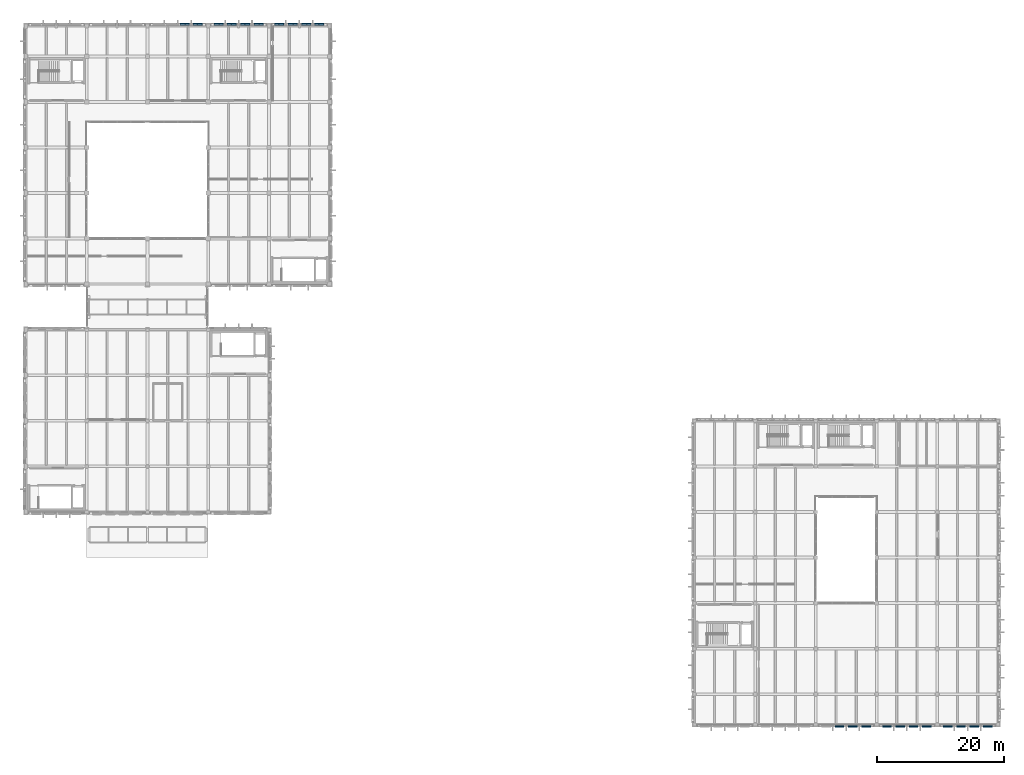
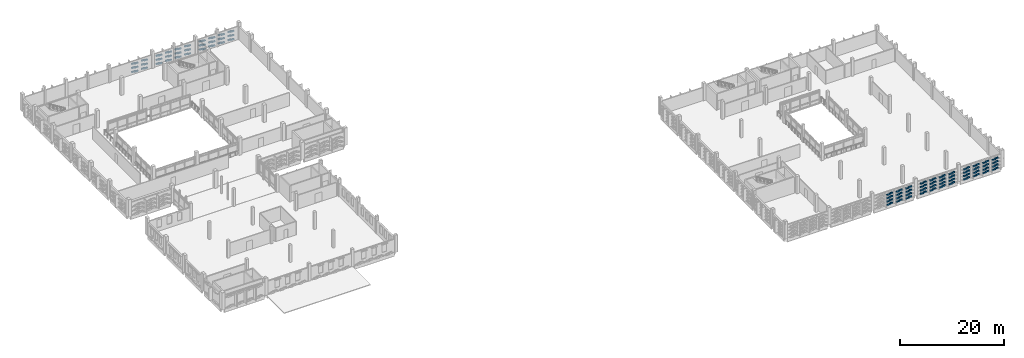
# One storey, part 50 of 72: 148 plates.
"""IFC4 building model written with IfcOpenShell, lengths in metres."""

from ifc_helpers import new_model, si_unit, direction, frame, origin, origin_2d, place, context, subcontext, project, spatial, rectangle, extrude, material, layer, layer_set, type_object, element, save


model = new_model("IFC4")

# Units and contexts
model_context = context("Model", 3, precision=1e-05, world=origin(), true_north=direction((0.0, 1.0)))
body_context = subcontext(model_context, "Body", "Model", "MODEL_VIEW")
ifc_project = project(units=[si_unit("LENGTHUNIT", "METRE"), si_unit("AREAUNIT", "SQUARE_METRE"), si_unit("VOLUMEUNIT", "CUBIC_METRE"), si_unit("PLANEANGLEUNIT", "RADIAN"), si_unit("MASSUNIT", "GRAM", prefix="KILO")], contexts=[model_context])

# Site, building, storey
site_placement = place(None, origin())
site = spatial("IfcSite", under=ifc_project, at=site_placement, CompositionType="ELEMENT")
building_placement = place(site_placement, origin())
building = spatial("IfcBuilding", under=site, at=building_placement, Name="Asteropetra Specialist Clinic", CompositionType="ELEMENT")
storey_placement = place(building_placement, frame((0.0, 0.0, 12.580078125)))
storey = spatial("IfcBuildingStorey", under=building, at=storey_placement, Name="L03", CompositionType="ELEMENT", Elevation=12.580078125)

# Plates
ifc_material = material(Name="Aluminium 6063-T6", Category="aluminium")
ifc_layer = layer(ifc_material, 0.139892578125)
ifc_layer_set = layer_set([ifc_layer], Name="Aluminium 6063-T6")
plate_type = type_object("IfcPlateType", Name="PLT-CHV-TILE", PredefinedType="SHEET", material=ifc_layer_set)
for number, where, z_axis, x_axis, name in (
    (1, (27.462890625, 110.679931640625, 0.009765625), (0.0, 0.0, 1.0), (1.0, 0.0, 0.0), "Chevron Ceramic Panel CPT-0927"),
    (2, (26.882080078125, 110.679931640625, 0.13671875), (0.0, 0.0, 1.0), (1.0, 0.0, 0.0), "Chevron Ceramic Panel CPT-0928"),
    (3, (27.462890625, 110.679931640625, 0.9697265625), (0.0, 0.0, 1.0), (1.0, 0.0, 0.0), "Chevron Ceramic Panel CPT-0929"),
    (4, (26.882080078125, 110.679931640625, 1.0966796875), (0.0, 0.0, 1.0), (1.0, 0.0, 0.0), "Chevron Ceramic Panel CPT-0930"),
    (5, (27.462890625, 110.679931640625, 1.9296875), (0.0, 0.0, 1.0), (1.0, 0.0, 0.0), "Chevron Ceramic Panel CPT-0931"),
    (6, (26.882080078125, 110.679931640625, 2.056640625), (0.0, 0.0, 1.0), (1.0, 0.0, 0.0), "Chevron Ceramic Panel CPT-0932"),
    (7, (25.347900390625, 110.679931640625, 0.009765625), (0.0, 0.0, 1.0), (1.0, 0.0, 0.0), "Chevron Ceramic Panel CPT-0933"),
    (8, (24.76708984375, 110.679931640625, 0.13671875), (0.0, 0.0, 1.0), (1.0, 0.0, 0.0), "Chevron Ceramic Panel CPT-0934"),
    (9, (25.347900390625, 110.679931640625, 0.9697265625), (0.0, 0.0, 1.0), (1.0, 0.0, 0.0), "Chevron Ceramic Panel CPT-0935"),
    (10, (24.76708984375, 110.679931640625, 1.0966796875), (0.0, 0.0, 1.0), (1.0, 0.0, 0.0), "Chevron Ceramic Panel CPT-0936"),
    (11, (25.347900390625, 110.679931640625, 1.9296875), (0.0, 0.0, 1.0), (1.0, 0.0, 0.0), "Chevron Ceramic Panel CPT-0937"),
    (12, (24.76708984375, 110.679931640625, 2.056640625), (0.0, 0.0, 1.0), (1.0, 0.0, 0.0), "Chevron Ceramic Panel CPT-0938"),
    (13, (37.06298828125, 110.679931640625, 0.009765625), (0.0, 0.0, 1.0), (1.0, 0.0, 0.0), "Chevron Ceramic Panel CPT-0969"),
    (14, (36.48193359375, 110.679931640625, 0.13671875), (0.0, 0.0, 1.0), (1.0, 0.0, 0.0), "Chevron Ceramic Panel CPT-0970"),
    (15, (37.06298828125, 110.679931640625, 0.9697265625), (0.0, 0.0, 1.0), (1.0, 0.0, 0.0), "Chevron Ceramic Panel CPT-0971"),
    (16, (36.48193359375, 110.679931640625, 1.0966796875), (0.0, 0.0, 1.0), (1.0, 0.0, 0.0), "Chevron Ceramic Panel CPT-0972"),
    (17, (37.06298828125, 110.679931640625, 1.9296875), (0.0, 0.0, 1.0), (1.0, 0.0, 0.0), "Chevron Ceramic Panel CPT-0973"),
    (18, (36.48193359375, 110.679931640625, 2.056640625), (0.0, 0.0, 1.0), (1.0, 0.0, 0.0), "Chevron Ceramic Panel CPT-0974"),
    (19, (34.947998046875, 110.679931640625, 0.009765625), (0.0, 0.0, 1.0), (1.0, 0.0, 0.0), "Chevron Ceramic Panel CPT-0975"),
    (20, (34.366943359375, 110.679931640625, 0.13671875), (0.0, 0.0, 1.0), (1.0, 0.0, 0.0), "Chevron Ceramic Panel CPT-0976"),
    (21, (34.947998046875, 110.679931640625, 0.9697265625), (0.0, 0.0, 1.0), (1.0, 0.0, 0.0), "Chevron Ceramic Panel CPT-0977"),
    (22, (34.366943359375, 110.679931640625, 1.0966796875), (0.0, 0.0, 1.0), (1.0, 0.0, 0.0), "Chevron Ceramic Panel CPT-0978"),
    (23, (34.947998046875, 110.679931640625, 1.9296875), (0.0, 0.0, 1.0), (1.0, 0.0, 0.0), "Chevron Ceramic Panel CPT-0979"),
    (24, (34.366943359375, 110.679931640625, 2.056640625), (0.0, 0.0, 1.0), (1.0, 0.0, 0.0), "Chevron Ceramic Panel CPT-0980"),
    (25, (32.8330078125, 110.679931640625, 0.009765625), (0.0, 0.0, 1.0), (1.0, 0.0, 0.0), "Chevron Ceramic Panel CPT-0981"),
    (26, (32.251953125, 110.679931640625, 0.13671875), (0.0, 0.0, 1.0), (1.0, 0.0, 0.0), "Chevron Ceramic Panel CPT-0982"),
    (27, (32.8330078125, 110.679931640625, 0.9697265625), (0.0, 0.0, 1.0), (1.0, 0.0, 0.0), "Chevron Ceramic Panel CPT-0983"),
    (28, (32.251953125, 110.679931640625, 1.0966796875), (0.0, 0.0, 1.0), (1.0, 0.0, 0.0), "Chevron Ceramic Panel CPT-0984"),
    (29, (32.8330078125, 110.679931640625, 1.9296875), (0.0, 0.0, 1.0), (1.0, 0.0, 0.0), "Chevron Ceramic Panel CPT-0985"),
    (30, (32.251953125, 110.679931640625, 2.056640625), (0.0, 0.0, 1.0), (1.0, 0.0, 0.0), "Chevron Ceramic Panel CPT-0986"),
    (31, (30.718017578125, 110.679931640625, 0.009765625), (0.0, 0.0, 1.0), (1.0, 0.0, 0.0), "Chevron Ceramic Panel CPT-0987"),
    (32, (30.136962890625, 110.679931640625, 0.13671875), (0.0, 0.0, 1.0), (1.0, 0.0, 0.0), "Chevron Ceramic Panel CPT-0988"),
    (33, (30.718017578125, 110.679931640625, 0.9697265625), (0.0, 0.0, 1.0), (1.0, 0.0, 0.0), "Chevron Ceramic Panel CPT-0989"),
    (34, (30.136962890625, 110.679931640625, 1.0966796875), (0.0, 0.0, 1.0), (1.0, 0.0, 0.0), "Chevron Ceramic Panel CPT-0990"),
    (35, (30.718017578125, 110.679931640625, 1.9296875), (0.0, 0.0, 1.0), (1.0, 0.0, 0.0), "Chevron Ceramic Panel CPT-0991"),
    (36, (30.136962890625, 110.679931640625, 2.056640625), (0.0, 0.0, 1.0), (1.0, 0.0, 0.0), "Chevron Ceramic Panel CPT-0992"),
    (37, (46.6630859375, 110.679931640625, 0.009765625), (0.0, 0.0, 1.0), (1.0, 0.0, 0.0), "Chevron Ceramic Panel CPT-1011"),
    (38, (46.08203125, 110.679931640625, 0.13671875), (0.0, 0.0, 1.0), (1.0, 0.0, 0.0), "Chevron Ceramic Panel CPT-1012"),
    (39, (46.6630859375, 110.679931640625, 0.9697265625), (0.0, 0.0, 1.0), (1.0, 0.0, 0.0), "Chevron Ceramic Panel CPT-1013"),
    (40, (46.08203125, 110.679931640625, 1.0966796875), (0.0, 0.0, 1.0), (1.0, 0.0, 0.0), "Chevron Ceramic Panel CPT-1014"),
    (41, (46.6630859375, 110.679931640625, 1.9296875), (0.0, 0.0, 1.0), (1.0, 0.0, 0.0), "Chevron Ceramic Panel CPT-1015"),
    (42, (46.08203125, 110.679931640625, 2.056640625), (0.0, 0.0, 1.0), (1.0, 0.0, 0.0), "Chevron Ceramic Panel CPT-1016"),
    (43, (44.548095703125, 110.679931640625, 0.009765625), (0.0, 0.0, 1.0), (1.0, 0.0, 0.0), "Chevron Ceramic Panel CPT-1017"),
    (44, (43.967041015625, 110.679931640625, 0.13671875), (0.0, 0.0, 1.0), (1.0, 0.0, 0.0), "Chevron Ceramic Panel CPT-1018"),
    (45, (44.548095703125, 110.679931640625, 0.9697265625), (0.0, 0.0, 1.0), (1.0, 0.0, 0.0), "Chevron Ceramic Panel CPT-1019"),
    (46, (43.967041015625, 110.679931640625, 1.0966796875), (0.0, 0.0, 1.0), (1.0, 0.0, 0.0), "Chevron Ceramic Panel CPT-1020"),
    (47, (44.548095703125, 110.679931640625, 1.9296875), (0.0, 0.0, 1.0), (1.0, 0.0, 0.0), "Chevron Ceramic Panel CPT-1021"),
    (48, (43.967041015625, 110.679931640625, 2.056640625), (0.0, 0.0, 1.0), (1.0, 0.0, 0.0), "Chevron Ceramic Panel CPT-1022"),
    (49, (42.43310546875, 110.679931640625, 0.009765625), (0.0, 0.0, 1.0), (1.0, 0.0, 0.0), "Chevron Ceramic Panel CPT-1023"),
    (50, (41.85205078125, 110.679931640625, 0.13671875), (0.0, 0.0, 1.0), (1.0, 0.0, 0.0), "Chevron Ceramic Panel CPT-1024"),
    (51, (42.43310546875, 110.679931640625, 0.9697265625), (0.0, 0.0, 1.0), (1.0, 0.0, 0.0), "Chevron Ceramic Panel CPT-1025"),
    (52, (41.85205078125, 110.679931640625, 1.0966796875), (0.0, 0.0, 1.0), (1.0, 0.0, 0.0), "Chevron Ceramic Panel CPT-1026"),
    (53, (42.43310546875, 110.679931640625, 1.9296875), (0.0, 0.0, 1.0), (1.0, 0.0, 0.0), "Chevron Ceramic Panel CPT-1027"),
    (54, (41.85205078125, 110.679931640625, 2.056640625), (0.0, 0.0, 1.0), (1.0, 0.0, 0.0), "Chevron Ceramic Panel CPT-1028"),
    (55, (40.318115234375, 110.679931640625, 0.009765625), (0.0, 0.0, 1.0), (1.0, 0.0, 0.0), "Chevron Ceramic Panel CPT-1029"),
    (56, (39.737060546875, 110.679931640625, 0.13671875), (0.0, 0.0, 1.0), (1.0, 0.0, 0.0), "Chevron Ceramic Panel CPT-1030"),
    (57, (40.318115234375, 110.679931640625, 0.9697265625), (0.0, 0.0, 1.0), (1.0, 0.0, 0.0), "Chevron Ceramic Panel CPT-1031"),
    (58, (39.737060546875, 110.679931640625, 1.0966796875), (0.0, 0.0, 1.0), (1.0, 0.0, 0.0), "Chevron Ceramic Panel CPT-1032"),
    (59, (40.318115234375, 110.679931640625, 1.9296875), (0.0, 0.0, 1.0), (1.0, 0.0, 0.0), "Chevron Ceramic Panel CPT-1033"),
    (60, (39.737060546875, 110.679931640625, 2.056640625), (0.0, 0.0, 1.0), (1.0, 0.0, 0.0), "Chevron Ceramic Panel CPT-1034"),
):
    element("IfcPlate", number, at=place(storey_placement, frame(where, z_axis=z_axis, x_axis=x_axis)), inside=storey, type_object=plate_type, Name=name, PredefinedType="SHEET", context=body_context, shape_type="SweptSolid", body=[
        extrude(rectangle(XDim=0.830078125, YDim=0.280029296875, at=origin_2d()), origin(), (0.0, 0.0, 1.0), 0.300048828125),
    ])
for number, where, z_axis, x_axis, name in (
    (61, (128.260009765625, -0.277587890625, -0.00048828125), (0.0, 0.0, 1.0), (1.0, 0.0, 0.0), "Chevron Ceramic Panel CPT-1815"),
    (62, (128.83740234375, -0.277587890625, 0.12548828125), (0.0, 0.0, 1.0), (1.0, 0.0, 0.0), "Chevron Ceramic Panel CPT-1816"),
    (63, (128.260009765625, -0.277587890625, 0.76953125), (0.0, 0.0, 1.0), (1.0, 0.0, 0.0), "Chevron Ceramic Panel CPT-1817"),
    (64, (128.83740234375, -0.277587890625, 0.8955078125), (0.0, 0.0, 1.0), (1.0, 0.0, 0.0), "Chevron Ceramic Panel CPT-1818"),
    (65, (128.260009765625, -0.277587890625, 1.5693359375), (0.0, 0.0, 1.0), (1.0, 0.0, 0.0), "Chevron Ceramic Panel CPT-1819"),
    (66, (128.83740234375, -0.277587890625, 1.6953125), (0.0, 0.0, 1.0), (1.0, 0.0, 0.0), "Chevron Ceramic Panel CPT-1820"),
    (67, (128.260009765625, -0.277587890625, 2.349609375), (0.0, 0.0, 1.0), (1.0, 0.0, 0.0), "Chevron Ceramic Panel CPT-1821"),
    (68, (128.83740234375, -0.277587890625, 2.47509765625), (0.0, 0.0, 1.0), (1.0, 0.0, 0.0), "Chevron Ceramic Panel CPT-1822"),
    (69, (130.362548828125, -0.277587890625, -0.00048828125), (0.0, 0.0, 1.0), (1.0, 0.0, 0.0), "Chevron Ceramic Panel CPT-1823"),
    (70, (130.93994140625, -0.277587890625, 0.12548828125), (0.0, 0.0, 1.0), (1.0, 0.0, 0.0), "Chevron Ceramic Panel CPT-1824"),
    (71, (130.362548828125, -0.277587890625, 0.76953125), (0.0, 0.0, 1.0), (1.0, 0.0, 0.0), "Chevron Ceramic Panel CPT-1825"),
    (72, (130.93994140625, -0.277587890625, 0.8955078125), (0.0, 0.0, 1.0), (1.0, 0.0, 0.0), "Chevron Ceramic Panel CPT-1826"),
    (73, (130.362548828125, -0.277587890625, 1.5693359375), (0.0, 0.0, 1.0), (1.0, 0.0, 0.0), "Chevron Ceramic Panel CPT-1827"),
    (74, (130.93994140625, -0.277587890625, 1.6953125), (0.0, 0.0, 1.0), (1.0, 0.0, 0.0), "Chevron Ceramic Panel CPT-1828"),
    (75, (130.362548828125, -0.277587890625, 2.349609375), (0.0, 0.0, 1.0), (1.0, 0.0, 0.0), "Chevron Ceramic Panel CPT-1829"),
    (76, (130.93994140625, -0.277587890625, 2.47509765625), (0.0, 0.0, 1.0), (1.0, 0.0, 0.0), "Chevron Ceramic Panel CPT-1830"),
    (77, (132.465087890625, -0.277587890625, -0.00048828125), (0.0, 0.0, 1.0), (1.0, 0.0, 0.0), "Chevron Ceramic Panel CPT-1831"),
    (78, (133.04248046875, -0.277587890625, 0.12548828125), (0.0, 0.0, 1.0), (1.0, 0.0, 0.0), "Chevron Ceramic Panel CPT-1832"),
    (79, (132.465087890625, -0.277587890625, 0.76953125), (0.0, 0.0, 1.0), (1.0, 0.0, 0.0), "Chevron Ceramic Panel CPT-1833"),
    (80, (133.04248046875, -0.277587890625, 0.8955078125), (0.0, 0.0, 1.0), (1.0, 0.0, 0.0), "Chevron Ceramic Panel CPT-1834"),
    (81, (132.465087890625, -0.277587890625, 1.5693359375), (0.0, 0.0, 1.0), (1.0, 0.0, 0.0), "Chevron Ceramic Panel CPT-1835"),
    (82, (133.04248046875, -0.277587890625, 1.6953125), (0.0, 0.0, 1.0), (1.0, 0.0, 0.0), "Chevron Ceramic Panel CPT-1836"),
    (83, (132.465087890625, -0.277587890625, 2.349609375), (0.0, 0.0, 1.0), (1.0, 0.0, 0.0), "Chevron Ceramic Panel CPT-1837"),
    (84, (133.04248046875, -0.277587890625, 2.47509765625), (0.0, 0.0, 1.0), (1.0, 0.0, 0.0), "Chevron Ceramic Panel CPT-1838"),
    (85, (135.757568359375, -0.277587890625, -0.00048828125), (0.0, 0.0, 1.0), (1.0, 0.0, 0.0), "Chevron Ceramic Panel CPT-1871"),
    (86, (136.3349609375, -0.277587890625, 0.12548828125), (0.0, 0.0, 1.0), (1.0, 0.0, 0.0), "Chevron Ceramic Panel CPT-1872"),
    (87, (135.757568359375, -0.277587890625, 0.76953125), (0.0, 0.0, 1.0), (1.0, 0.0, 0.0), "Chevron Ceramic Panel CPT-1873"),
    (88, (136.3349609375, -0.277587890625, 0.8955078125), (0.0, 0.0, 1.0), (1.0, 0.0, 0.0), "Chevron Ceramic Panel CPT-1874"),
    (89, (135.757568359375, -0.277587890625, 1.5693359375), (0.0, 0.0, 1.0), (1.0, 0.0, 0.0), "Chevron Ceramic Panel CPT-1875"),
    (90, (136.3349609375, -0.277587890625, 1.6953125), (0.0, 0.0, 1.0), (1.0, 0.0, 0.0), "Chevron Ceramic Panel CPT-1876"),
    (91, (135.757568359375, -0.277587890625, 2.349609375), (0.0, 0.0, 1.0), (1.0, 0.0, 0.0), "Chevron Ceramic Panel CPT-1877"),
    (92, (136.3349609375, -0.277587890625, 2.47509765625), (0.0, 0.0, 1.0), (1.0, 0.0, 0.0), "Chevron Ceramic Panel CPT-1878"),
    (93, (137.860107421875, -0.277587890625, -0.00048828125), (0.0, 0.0, 1.0), (1.0, 0.0, 0.0), "Chevron Ceramic Panel CPT-1879"),
    (94, (138.4375, -0.277587890625, 0.12548828125), (0.0, 0.0, 1.0), (1.0, 0.0, 0.0), "Chevron Ceramic Panel CPT-1880"),
    (95, (137.860107421875, -0.277587890625, 0.76953125), (0.0, 0.0, 1.0), (1.0, 0.0, 0.0), "Chevron Ceramic Panel CPT-1881"),
    (96, (138.4375, -0.277587890625, 0.8955078125), (0.0, 0.0, 1.0), (1.0, 0.0, 0.0), "Chevron Ceramic Panel CPT-1882"),
    (97, (137.860107421875, -0.277587890625, 1.5693359375), (0.0, 0.0, 1.0), (1.0, 0.0, 0.0), "Chevron Ceramic Panel CPT-1883"),
    (98, (138.4375, -0.277587890625, 1.6953125), (0.0, 0.0, 1.0), (1.0, 0.0, 0.0), "Chevron Ceramic Panel CPT-1884"),
    (99, (137.860107421875, -0.277587890625, 2.349609375), (0.0, 0.0, 1.0), (1.0, 0.0, 0.0), "Chevron Ceramic Panel CPT-1885"),
    (100, (138.4375, -0.277587890625, 2.47509765625), (0.0, 0.0, 1.0), (1.0, 0.0, 0.0), "Chevron Ceramic Panel CPT-1886"),
    (101, (139.96240234375, -0.277587890625, -0.00048828125), (0.0, 0.0, 1.0), (1.0, 0.0, 0.0), "Chevron Ceramic Panel CPT-1887"),
    (102, (140.5400390625, -0.277587890625, 0.12548828125), (0.0, 0.0, 1.0), (1.0, 0.0, 0.0), "Chevron Ceramic Panel CPT-1888"),
    (103, (139.96240234375, -0.277587890625, 0.76953125), (0.0, 0.0, 1.0), (1.0, 0.0, 0.0), "Chevron Ceramic Panel CPT-1889"),
    (104, (140.5400390625, -0.277587890625, 0.8955078125), (0.0, 0.0, 1.0), (1.0, 0.0, 0.0), "Chevron Ceramic Panel CPT-1890"),
    (105, (139.96240234375, -0.277587890625, 1.5693359375), (0.0, 0.0, 1.0), (1.0, 0.0, 0.0), "Chevron Ceramic Panel CPT-1891"),
    (106, (140.5400390625, -0.277587890625, 1.6953125), (0.0, 0.0, 1.0), (1.0, 0.0, 0.0), "Chevron Ceramic Panel CPT-1892"),
    (107, (139.96240234375, -0.277587890625, 2.349609375), (0.0, 0.0, 1.0), (1.0, 0.0, 0.0), "Chevron Ceramic Panel CPT-1893"),
    (108, (140.5400390625, -0.277587890625, 2.47509765625), (0.0, 0.0, 1.0), (1.0, 0.0, 0.0), "Chevron Ceramic Panel CPT-1894"),
    (109, (142.06494140625, -0.277587890625, -0.00048828125), (0.0, 0.0, 1.0), (1.0, 0.0, 0.0), "Chevron Ceramic Panel CPT-1895"),
    (110, (142.642578125, -0.277587890625, 0.12548828125), (0.0, 0.0, 1.0), (1.0, 0.0, 0.0), "Chevron Ceramic Panel CPT-1896"),
    (111, (142.06494140625, -0.277587890625, 0.76953125), (0.0, 0.0, 1.0), (1.0, 0.0, 0.0), "Chevron Ceramic Panel CPT-1897"),
    (112, (142.642578125, -0.277587890625, 0.8955078125), (0.0, 0.0, 1.0), (1.0, 0.0, 0.0), "Chevron Ceramic Panel CPT-1898"),
    (113, (142.06494140625, -0.277587890625, 1.5693359375), (0.0, 0.0, 1.0), (1.0, 0.0, 0.0), "Chevron Ceramic Panel CPT-1899"),
    (114, (142.642578125, -0.277587890625, 1.6953125), (0.0, 0.0, 1.0), (1.0, 0.0, 0.0), "Chevron Ceramic Panel CPT-1900"),
    (115, (142.06494140625, -0.277587890625, 2.349609375), (0.0, 0.0, 1.0), (1.0, 0.0, 0.0), "Chevron Ceramic Panel CPT-1901"),
    (116, (142.642578125, -0.277587890625, 2.47509765625), (0.0, 0.0, 1.0), (1.0, 0.0, 0.0), "Chevron Ceramic Panel CPT-1902"),
    (117, (145.357421875, -0.277587890625, -0.00048828125), (0.0, 0.0, 1.0), (1.0, 0.0, 0.0), "Chevron Ceramic Panel CPT-1935"),
    (118, (145.93505859375, -0.277587890625, 0.12548828125), (0.0, 0.0, 1.0), (1.0, 0.0, 0.0), "Chevron Ceramic Panel CPT-1936"),
    (119, (145.357421875, -0.277587890625, 0.76953125), (0.0, 0.0, 1.0), (1.0, 0.0, 0.0), "Chevron Ceramic Panel CPT-1937"),
    (120, (145.93505859375, -0.277587890625, 0.8955078125), (0.0, 0.0, 1.0), (1.0, 0.0, 0.0), "Chevron Ceramic Panel CPT-1938"),
    (121, (145.357421875, -0.277587890625, 1.5693359375), (0.0, 0.0, 1.0), (1.0, 0.0, 0.0), "Chevron Ceramic Panel CPT-1939"),
    (122, (145.93505859375, -0.277587890625, 1.6953125), (0.0, 0.0, 1.0), (1.0, 0.0, 0.0), "Chevron Ceramic Panel CPT-1940"),
    (123, (145.357421875, -0.277587890625, 2.349609375), (0.0, 0.0, 1.0), (1.0, 0.0, 0.0), "Chevron Ceramic Panel CPT-1941"),
    (124, (145.93505859375, -0.277587890625, 2.47509765625), (0.0, 0.0, 1.0), (1.0, 0.0, 0.0), "Chevron Ceramic Panel CPT-1942"),
    (125, (147.4599609375, -0.277587890625, -0.00048828125), (0.0, 0.0, 1.0), (1.0, 0.0, 0.0), "Chevron Ceramic Panel CPT-1943"),
    (126, (148.03759765625, -0.277587890625, 0.12548828125), (0.0, 0.0, 1.0), (1.0, 0.0, 0.0), "Chevron Ceramic Panel CPT-1944"),
    (127, (147.4599609375, -0.277587890625, 0.76953125), (0.0, 0.0, 1.0), (1.0, 0.0, 0.0), "Chevron Ceramic Panel CPT-1945"),
    (128, (148.03759765625, -0.277587890625, 0.8955078125), (0.0, 0.0, 1.0), (1.0, 0.0, 0.0), "Chevron Ceramic Panel CPT-1946"),
    (129, (147.4599609375, -0.277587890625, 1.5693359375), (0.0, 0.0, 1.0), (1.0, 0.0, 0.0), "Chevron Ceramic Panel CPT-1947"),
    (130, (148.03759765625, -0.277587890625, 1.6953125), (0.0, 0.0, 1.0), (1.0, 0.0, 0.0), "Chevron Ceramic Panel CPT-1948"),
    (131, (147.4599609375, -0.277587890625, 2.349609375), (0.0, 0.0, 1.0), (1.0, 0.0, 0.0), "Chevron Ceramic Panel CPT-1949"),
    (132, (148.03759765625, -0.277587890625, 2.47509765625), (0.0, 0.0, 1.0), (1.0, 0.0, 0.0), "Chevron Ceramic Panel CPT-1950"),
    (133, (149.5625, -0.277587890625, -0.00048828125), (0.0, 0.0, 1.0), (1.0, 0.0, 0.0), "Chevron Ceramic Panel CPT-1951"),
    (134, (150.139892578125, -0.277587890625, 0.12548828125), (0.0, 0.0, 1.0), (1.0, 0.0, 0.0), "Chevron Ceramic Panel CPT-1952"),
    (135, (149.5625, -0.277587890625, 0.76953125), (0.0, 0.0, 1.0), (1.0, 0.0, 0.0), "Chevron Ceramic Panel CPT-1953"),
    (136, (150.139892578125, -0.277587890625, 0.8955078125), (0.0, 0.0, 1.0), (1.0, 0.0, 0.0), "Chevron Ceramic Panel CPT-1954"),
    (137, (149.5625, -0.277587890625, 1.5693359375), (0.0, 0.0, 1.0), (1.0, 0.0, 0.0), "Chevron Ceramic Panel CPT-1955"),
    (138, (150.139892578125, -0.277587890625, 1.6953125), (0.0, 0.0, 1.0), (1.0, 0.0, 0.0), "Chevron Ceramic Panel CPT-1956"),
    (139, (149.5625, -0.277587890625, 2.349609375), (0.0, 0.0, 1.0), (1.0, 0.0, 0.0), "Chevron Ceramic Panel CPT-1957"),
    (140, (150.139892578125, -0.277587890625, 2.47509765625), (0.0, 0.0, 1.0), (1.0, 0.0, 0.0), "Chevron Ceramic Panel CPT-1958"),
    (141, (151.6650390625, -0.277587890625, -0.00048828125), (0.0, 0.0, 1.0), (1.0, 0.0, 0.0), "Chevron Ceramic Panel CPT-1959"),
    (142, (152.242431640625, -0.277587890625, 0.12548828125), (0.0, 0.0, 1.0), (1.0, 0.0, 0.0), "Chevron Ceramic Panel CPT-1960"),
    (143, (151.6650390625, -0.277587890625, 0.76953125), (0.0, 0.0, 1.0), (1.0, 0.0, 0.0), "Chevron Ceramic Panel CPT-1961"),
    (144, (152.242431640625, -0.277587890625, 0.8955078125), (0.0, 0.0, 1.0), (1.0, 0.0, 0.0), "Chevron Ceramic Panel CPT-1962"),
    (145, (151.6650390625, -0.277587890625, 1.5693359375), (0.0, 0.0, 1.0), (1.0, 0.0, 0.0), "Chevron Ceramic Panel CPT-1963"),
    (146, (152.242431640625, -0.277587890625, 1.6953125), (0.0, 0.0, 1.0), (1.0, 0.0, 0.0), "Chevron Ceramic Panel CPT-1964"),
    (147, (151.6650390625, -0.277587890625, 2.349609375), (0.0, 0.0, 1.0), (1.0, 0.0, 0.0), "Chevron Ceramic Panel CPT-1965"),
    (148, (152.242431640625, -0.277587890625, 2.47509765625), (0.0, 0.0, 1.0), (1.0, 0.0, 0.0), "Chevron Ceramic Panel CPT-1966"),
):
    element("IfcPlate", number, at=place(storey_placement, frame(where, z_axis=z_axis, x_axis=x_axis)), inside=storey, type_object=plate_type, Name=name, PredefinedType="SHEET", context=body_context, shape_type="SweptSolid", body=[
        extrude(rectangle(XDim=0.824951171875, YDim=0.280029296875, at=origin_2d()), origin(), (0.0, 0.0, 1.0), 0.300048828125),
    ])

save(model, "model.ifc")
